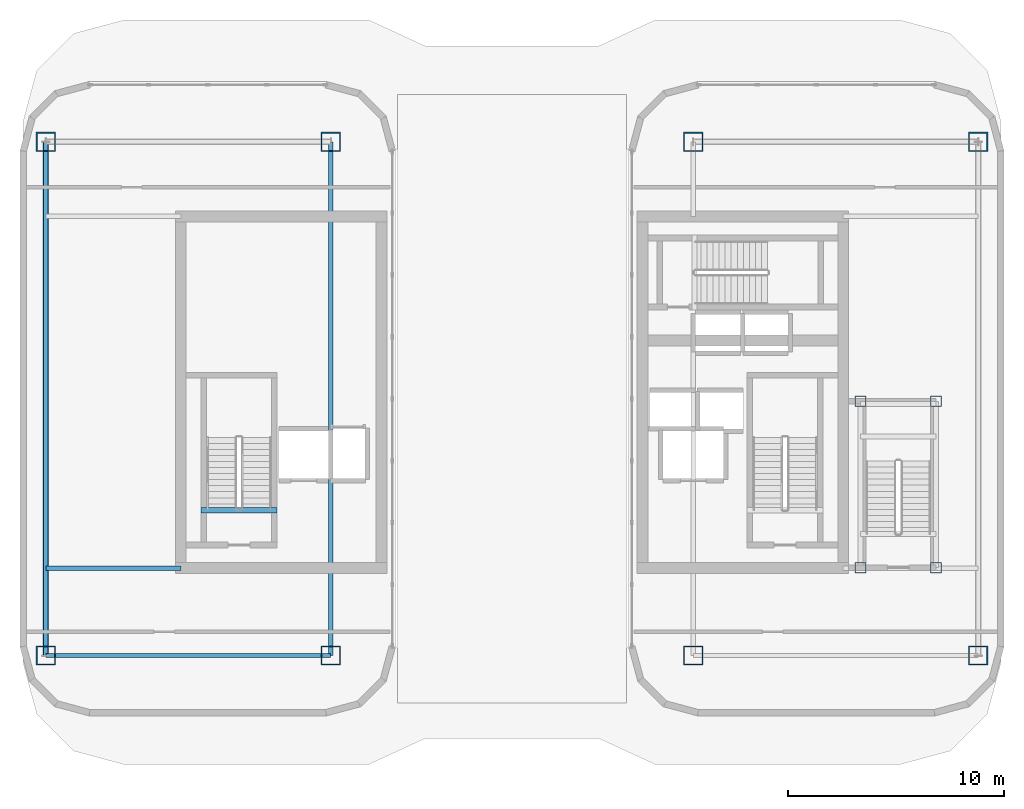
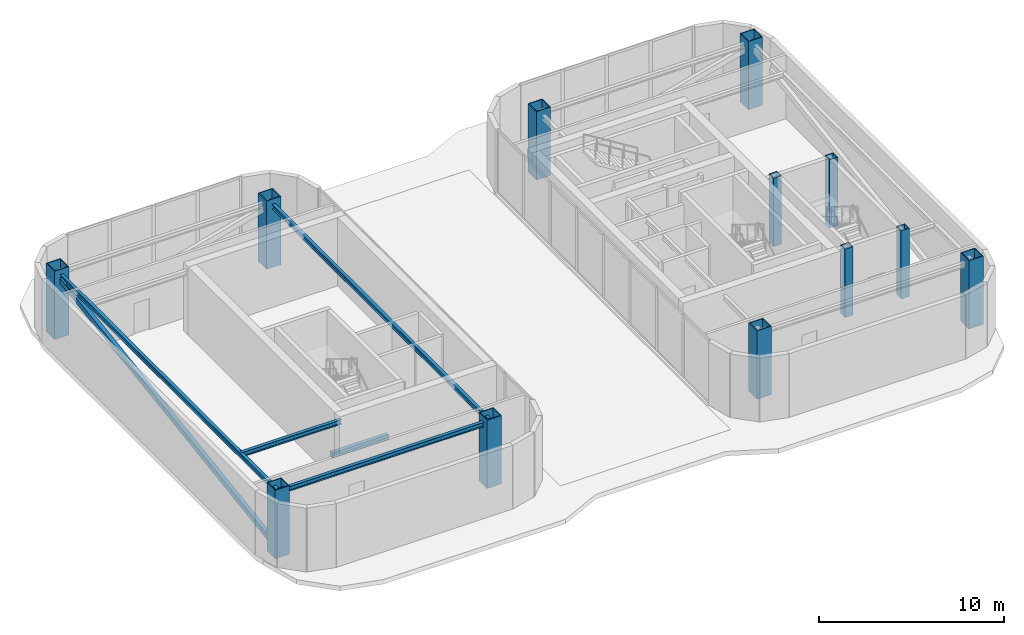
# One storey, part 1 of 14: 12 columns, 5 beams, 1 member.
"""IFC4 building model written with IfcOpenShell, lengths in metres."""

from ifc_helpers import new_model, si_unit, direction, frame, origin, origin_2d, place, context, subcontext, project, spatial, rectangle, hollow_rectangle, i_section, extrude, material, material_profile, profile_set, type_object, element, save


model = new_model("IFC4")

# Units and contexts
model_context = context("Model", 3, precision=1e-05, world=origin(), true_north=direction((0.0, 1.0)))
body_context = subcontext(model_context, "Body", "Model", "MODEL_VIEW")
ifc_project = project(units=[si_unit("LENGTHUNIT", "METRE"), si_unit("AREAUNIT", "SQUARE_METRE"), si_unit("VOLUMEUNIT", "CUBIC_METRE"), si_unit("PLANEANGLEUNIT", "RADIAN"), si_unit("MASSUNIT", "GRAM", prefix="KILO")], contexts=[model_context])

# Site, building, storey
site_placement = place(None, origin())
site = spatial("IfcSite", under=ifc_project, at=site_placement, CompositionType="ELEMENT")
building_placement = place(site_placement, origin())
building = spatial("IfcBuilding", under=site, at=building_placement, Name="Kiyonajd Concourse Tower", CompositionType="ELEMENT")
storey_placement = place(building_placement, frame((0.0, 0.0, 354.89990234375)))
storey = spatial("IfcBuildingStorey", under=building, at=storey_placement, Name="L89", CompositionType="ELEMENT", Elevation=354.89990234375)

# Columns
ifc_material_1 = material(Name="Steel ASTM A572 Grade 50", Category="steel")
ifc_material_profile_1 = material_profile(ifc_material_1, hollow_rectangle(XDim=0.89990234375, YDim=0.89990234375, WallThickness=0.054931640625, at=origin_2d()), Name="BOX-900x900x55")
ifc_profile_set_1 = profile_set([ifc_material_profile_1], Name="Steel ASTM A572 Grade 50")
column_type_1 = type_object("IfcColumnType", Name="CL-CRN-BOX", PredefinedType="COLUMN", material=ifc_profile_set_1)
for number, where, z_axis, x_axis, name in (
    (1, (26.39990234375, 23.800048828125, 0.0), (0.0, 0.0, 1.0), (1.0, 0.0, 0.0), "L89 West Crown Frame Column"),
    (2, (39.60009765625, 23.800048828125, 0.0), (0.0, 0.0, 1.0), (1.0, 0.0, 0.0), "L89 West Crown Frame Column"),
    (3, (39.60009765625, 47.60009765625, 0.0), (0.0, 0.0, 1.0), (1.0, 0.0, 0.0), "L89 West Crown Frame Column"),
    (4, (26.39990234375, 47.60009765625, 0.0), (0.0, 0.0, 1.0), (1.0, 0.0, 0.0), "L89 West Crown Frame Column"),
    (5, (56.39990234375, 23.800048828125, 0.0), (0.0, 0.0, 1.0), (1.0, 0.0, 0.0), "L89 East Crown Frame Column"),
    (6, (69.60009765625, 23.800048828125, 0.0), (0.0, 0.0, 1.0), (1.0, 0.0, 0.0), "L89 East Crown Frame Column"),
    (7, (69.60009765625, 47.60009765625, 0.0), (0.0, 0.0, 1.0), (1.0, 0.0, 0.0), "L89 East Crown Frame Column"),
    (8, (56.39990234375, 47.60009765625, 0.0), (0.0, 0.0, 1.0), (1.0, 0.0, 0.0), "L89 East Crown Frame Column"),
):
    element("IfcColumn", number, at=place(storey_placement, frame(where, z_axis=z_axis, x_axis=x_axis)), inside=storey, type_object=column_type_1, Name=name, PredefinedType="COLUMN", context=body_context, shape_type="SweptSolid", body=[
        extrude(hollow_rectangle(XDim=0.89990234375, YDim=0.89990234375, WallThickness=0.054931640625, at=origin_2d()), origin(), (0.0, 0.0, 1.0), 4.5),
    ])
ifc_material_profile_2 = material_profile(ifc_material_1, hollow_rectangle(XDim=0.5, YDim=0.5, WallThickness=0.02490234375, at=origin_2d()), Name="HSS-500x500x25")
ifc_profile_set_2 = profile_set([ifc_material_profile_2], Name="Steel ASTM A572 Grade 50")
column_type_2 = type_object("IfcColumnType", Name="CL-PIL-600", PredefinedType="PILASTER", material=ifc_profile_set_2)
for number, where, z_axis, x_axis, name in (
    (9, (64.14990234375, 27.8701171875, 0.0), (0.0, 0.0, 1.0), (1.0, 0.0, 0.0), "L89 Crown Stair Support Column"),
    (10, (67.64990234375, 27.8701171875, 0.0), (0.0, 0.0, 1.0), (1.0, 0.0, 0.0), "L89 Crown Stair Support Column"),
    (11, (64.14990234375, 35.580078125, 0.0), (0.0, 0.0, 1.0), (1.0, 0.0, 0.0), "L89 Crown Stair Support Column"),
    (12, (67.64990234375, 35.580078125, 0.0), (0.0, 0.0, 1.0), (1.0, 0.0, 0.0), "L89 Crown Stair Support Column"),
):
    element("IfcColumn", number, at=place(storey_placement, frame(where, z_axis=z_axis, x_axis=x_axis)), inside=storey, type_object=column_type_2, Name=name, PredefinedType="PILASTER", context=body_context, shape_type="SweptSolid", body=[
        extrude(hollow_rectangle(XDim=0.5, YDim=0.5, WallThickness=0.02490234375, at=origin_2d()), origin(), (0.0, 0.0, 1.0), 4.5),
    ])

# Beams
ifc_material_2 = material(Name="Steel ASTM A992 Grade 50", Category="steel")
ifc_material_profile_3 = material_profile(ifc_material_2, i_section(OverallWidth=0.2041015625, OverallDepth=0.305908203125, WebThickness=0.008544921875, FlangeThickness=0.0146484375, at=origin_2d()), Name="W310X67")
ifc_profile_set_3 = profile_set([ifc_material_profile_3], Name="Steel ASTM A992 Grade 50")
beam_type_1 = type_object("IfcBeamType", Name="BM-CRN-310", PredefinedType="BEAM", material=ifc_profile_set_3)
beam_1_placement = place(storey_placement, frame((26.39990234375, 23.800048828125, 4.007080078125), z_axis=(1.0, 0.0, 0.0), x_axis=(0.0, 1.0, 0.0)))
element("IfcBeam", 13, at=beam_1_placement, inside=storey, type_object=beam_type_1, Name="L89 W Crown Ring Beam 1", PredefinedType="BEAM", context=body_context, shape_type="SweptSolid", body=[
    extrude(i_section(OverallWidth=0.2041015625, OverallDepth=0.305908203125, WebThickness=0.008544921875, FlangeThickness=0.0146484375, at=origin_2d()), origin(), (0.0, 0.0, 1.0), 13.2001953125),
])
for number, where, z_axis, x_axis, name in (
    (14, (39.60009765625, 23.800048828125, 4.007080078125), (0.0, 1.0, 0.0), (-1.0, 0.0, 0.0), "L89 W Crown Ring Beam 2"),
    (15, (26.39990234375, 47.60009765625, 4.007080078125), (0.0, -1.0, 0.0), (1.0, 0.0, 0.0), "L89 W Crown Ring Beam 4"),
):
    element("IfcBeam", number, at=place(storey_placement, frame(where, z_axis=z_axis, x_axis=x_axis)), inside=storey, type_object=beam_type_1, Name=name, PredefinedType="BEAM", context=body_context, shape_type="SweptSolid", body=[
        extrude(i_section(OverallWidth=0.2041015625, OverallDepth=0.305908203125, WebThickness=0.008544921875, FlangeThickness=0.0146484375, at=origin_2d()), origin(), (0.0, 0.0, 1.0), 23.800048828125),
    ])
beam_2_placement = place(storey_placement, frame((26.39990234375, 27.85009765625, 4.007080078125), z_axis=(1.0, 0.0, 0.0), x_axis=(0.0, 1.0, 0.0)))
element("IfcBeam", 16, at=beam_2_placement, inside=storey, type_object=beam_type_1, Name="L89 W Crown Core Tie South", PredefinedType="BEAM", context=body_context, shape_type="SweptSolid", body=[
    extrude(i_section(OverallWidth=0.2041015625, OverallDepth=0.305908203125, WebThickness=0.008544921875, FlangeThickness=0.0146484375, at=origin_2d()), origin(), (0.0, 0.0, 1.0), 6.25),
])
ifc_material_3 = material(Name="Concrete C50/60", Category="concrete")
ifc_material_profile_4 = material_profile(ifc_material_3, rectangle(XDim=0.239990234375, YDim=0.320068359375, at=origin_2d()), Name="RCBM-240x320")
ifc_profile_set_4 = profile_set([ifc_material_profile_4], Name="Concrete C50/60")
beam_type_2 = type_object("IfcBeamType", Name="BM-LNT-250", PredefinedType="LINTEL", material=ifc_profile_set_4)
beam_3_placement = place(storey_placement, frame((33.590087890625, 30.530029296875, -0.159912109375), z_axis=(1.0, 0.0, 0.0), x_axis=(0.0, 1.0, 0.0)))
element("IfcBeam", 17, at=beam_3_placement, inside=storey, type_object=beam_type_2, Name="L89 Stair ST1 Threshold Support Beam", PredefinedType="LINTEL", context=body_context, shape_type="SweptSolid", body=[
    extrude(rectangle(XDim=0.239990234375, YDim=0.320068359375, at=origin_2d()), origin(), (0.0, 0.0, 1.0), 3.52001953125),
])

# Member
ifc_material_4 = material(Name="Steel ASTM A500 Grade C", Category="steel")
ifc_material_profile_5 = material_profile(ifc_material_4, hollow_rectangle(XDim=0.25, YDim=0.35009765625, WallThickness=0.01611328125, at=origin_2d()), Name="HSS-350x250x16")
ifc_profile_set_5 = profile_set([ifc_material_profile_5], Name="Steel ASTM A500 Grade C")
member_type = type_object("IfcMemberType", Name="MB-CRN-BRC", PredefinedType="BRACE", material=ifc_profile_set_5)
member_placement = place(storey_placement, frame((26.39990234375, 23.800048828125, 0.300048828125), z_axis=(0.0, 0.989057694684, 0.147529239764), x_axis=(-1.0, 0.0, 0.0)))
element("IfcMember", 18, at=member_placement, inside=storey, type_object=member_type, Name="L89 W Crown Wind Brace 2", PredefinedType="BRACE", context=body_context, shape_type="SweptSolid", body=[
    extrude(hollow_rectangle(XDim=0.25, YDim=0.35009765625, WallThickness=0.01611328125, at=origin_2d()), origin(), (0.0, 0.0, 1.0), 24.0634765625),
])

save(model, "model.ifc")
